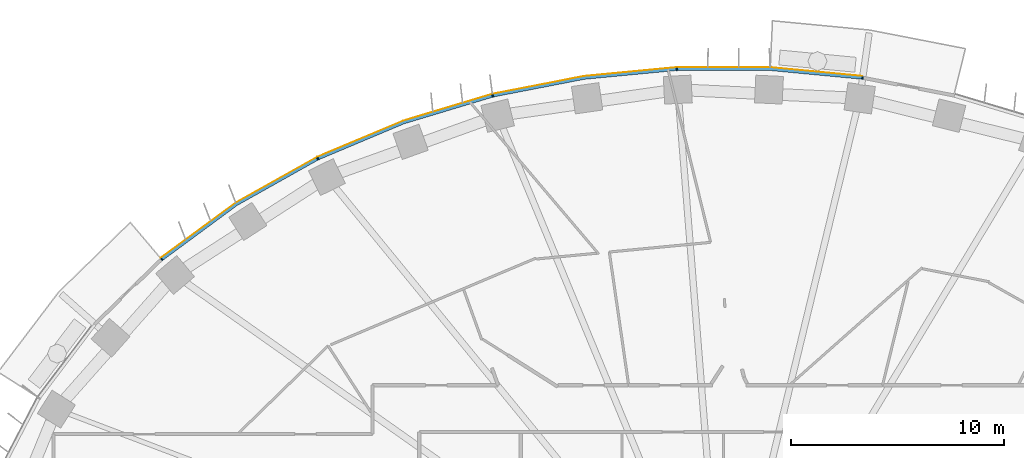
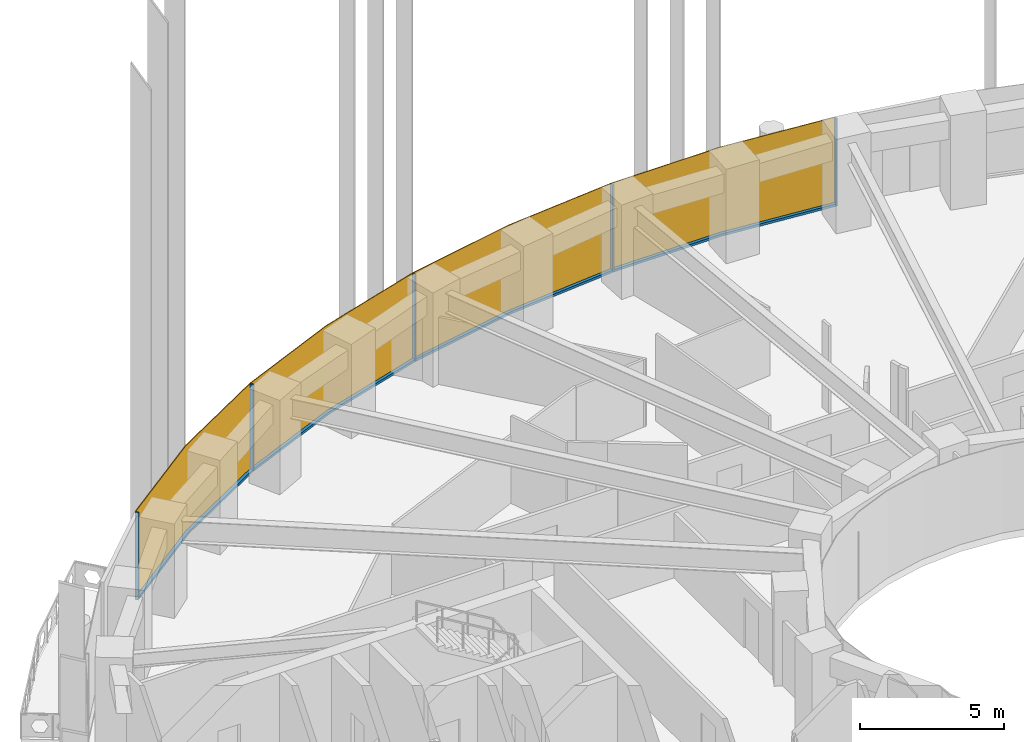
# One storey, part 12 of 20: 9 members, 1 curtain wall.
"""IFC4 building model written with IfcOpenShell, lengths in metres."""

from ifc_helpers import new_model, si_unit, direction, frame, origin, origin_2d, place, context, subcontext, project, spatial, polyline, rectangle, outline, extrude, material, layer, layer_set, material_profile, profile_set, type_object, element, aggregate, save


model = new_model("IFC4")

# Units and contexts
model_context = context("Model", 3, precision=1e-05, world=origin(), true_north=direction((0.0, 1.0)))
body_context = subcontext(model_context, "Body", "Model", "MODEL_VIEW")
ifc_project = project(units=[si_unit("LENGTHUNIT", "METRE"), si_unit("AREAUNIT", "SQUARE_METRE"), si_unit("VOLUMEUNIT", "CUBIC_METRE"), si_unit("PLANEANGLEUNIT", "RADIAN"), si_unit("MASSUNIT", "GRAM", prefix="KILO")], contexts=[model_context])

# Member
ifc_material_1 = material(Name="Aluminium 6063-T6 black anodised", Category="aluminium")
ifc_material_profile = material_profile(ifc_material_1, rectangle(XDim=0.1201171875, YDim=0.06005859375, at=origin_2d()), Name="120x60")
ifc_profile_set = profile_set([ifc_material_profile], Name="Aluminium 6063-T6 black anodised")
member_type_1 = type_object("IfcMemberType", Name="ENV-MULLION-A-120", PredefinedType="MULLION", material=ifc_profile_set)
site_placement = place(None, origin())
building_placement = place(site_placement, origin())
storey_placement = place(building_placement, frame((0.0, 0.0, 88.0)))
member_1_placement = place(storey_placement, frame((6.54638671875, 27.440185546875, 0.0), z_axis=(0.0, 0.0, 1.0), x_axis=(-0.143082012705, -0.989710835366, 0.0)))
member_1 = element("IfcMember", 1, at=member_1_placement, type_object=member_type_1, Name="Mullion A radial 11", PredefinedType="MULLION", context=body_context, shape_type="SweptSolid", body=[
    extrude(rectangle(XDim=0.1201171875, YDim=0.06005859375, at=origin_2d()), origin(), (0.0, 0.0, 1.0), 3.699951171875),
])

member_2_placement = place(storey_placement, frame((-2.188720703125, 27.856201171875, 0.0), z_axis=(0.0, 0.0, 1.0), x_axis=(0.047557873581, -0.998868484166, 0.0)))
member_2 = element("IfcMember", 2, at=member_2_placement, type_object=member_type_1, Name="Mullion A radial 13", PredefinedType="MULLION", context=body_context, shape_type="SweptSolid", body=[
    extrude(rectangle(XDim=0.1201171875, YDim=0.06005859375, at=origin_2d()), origin(), (0.0, 0.0, 1.0), 3.699951171875),
])

member_3_placement = place(storey_placement, frame((-10.84326171875, 26.60498046875, 0.0), z_axis=(0.0, 0.0, 1.0), x_axis=(0.239799081534, -0.970822538106, 0.0)))
member_3 = element("IfcMember", 3, at=member_3_placement, type_object=member_type_1, Name="Mullion A radial 15", PredefinedType="MULLION", context=body_context, shape_type="SweptSolid", body=[
    extrude(rectangle(XDim=0.1201171875, YDim=0.06005859375, at=origin_2d()), origin(), (0.0, 0.0, 1.0), 3.699951171875),
])

member_4_placement = place(storey_placement, frame((-19.06787109375, 23.6474609375, 0.0), z_axis=(0.0, 0.0, 1.0), x_axis=(0.439237769837, -0.898370848563, 0.0)))
member_4 = element("IfcMember", 4, at=member_4_placement, type_object=member_type_1, Name="Mullion A radial 17", PredefinedType="MULLION", context=body_context, shape_type="SweptSolid", body=[
    extrude(rectangle(XDim=0.1201171875, YDim=0.06005859375, at=origin_2d()), origin(), (0.0, 0.0, 1.0), 3.699951171875),
])

member_5_placement = place(storey_placement, frame((-26.403564453125, 18.9130859375, 0.0), z_axis=(0.0, 0.0, 1.0), x_axis=(0.646451313783, -0.762955240435, 0.0)))
member_5 = element("IfcMember", 5, at=member_5_placement, type_object=member_type_1, Name="Mullion A radial 19", PredefinedType="MULLION", context=body_context, shape_type="SweptSolid", body=[
    extrude(rectangle(XDim=0.1201171875, YDim=0.06005859375, at=origin_2d()), origin(), (0.0, 0.0, 1.0), 3.699951171875),
])

ifc_material_2 = material(Name="Aluminium 6063-T6 black anodised", Category="aluminium")
member_type_2 = type_object("IfcMemberType", Name="ENV-TRANSOM-A", PredefinedType="USERDEFINED", material=ifc_material_2)
member_6_placement = place(storey_placement, origin())
member_6 = element("IfcMember", 6, at=member_6_placement, type_object=member_type_2, Name="Transom A radial 11-13", ObjectType="TRANSOM", PredefinedType="USERDEFINED", context=body_context, shape_type="SweptSolid", body=[
    extrude(outline(polyline([(6.527099609375, 27.502197265625), (2.191650390625, 27.916015625), (-2.163818359375, 27.916015625), (-2.157958984375, 27.7958984375), (2.185791015625, 27.7958984375), (6.510009765625, 27.38330078125), (6.527099609375, 27.502197265625)])), origin(), (0.0, 0.0, 1.0), 0.10009765625),
])

member_7_placement = place(storey_placement, origin())
member_7 = element("IfcMember", 7, at=member_7_placement, type_object=member_type_2, Name="Transom A radial 13-15", ObjectType="TRANSOM", PredefinedType="USERDEFINED", context=body_context, shape_type="SweptSolid", body=[
    extrude(outline(polyline([(-2.219482421875, 27.913330078125), (-6.55517578125, 27.49951171875), (-10.830078125, 26.66845703125), (-10.80126953125, 26.552001953125), (-6.537841796875, 27.380615234375), (-2.2138671875, 27.793212890625), (-2.219482421875, 27.913330078125)])), origin(), (0.0, 0.0, 1.0), 0.10009765625),
])

member_8_placement = place(storey_placement, origin())
member_8 = element("IfcMember", 8, at=member_8_placement, type_object=member_type_2, Name="Transom A radial 15-17", ObjectType="TRANSOM", PredefinedType="USERDEFINED", context=body_context, shape_type="SweptSolid", body=[
    extrude(outline(polyline([(-10.884521484375, 26.655029296875), (-15.054443359375, 25.400146484375), (-19.068359375, 23.71240234375), (-19.015380859375, 23.604248046875), (-15.013916015625, 25.287109375), (-10.855712890625, 26.53857421875), (-10.884521484375, 26.655029296875)])), origin(), (0.0, 0.0, 1.0), 0.10009765625),
])

member_9_placement = place(storey_placement, origin())
member_9 = element("IfcMember", 9, at=member_9_placement, type_object=member_type_2, Name="Transom A radial 17-19", ObjectType="TRANSOM", PredefinedType="USERDEFINED", context=body_context, shape_type="SweptSolid", body=[
    extrude(outline(polyline([(-19.11865234375, 23.687744140625), (-22.9150390625, 21.556884765625), (-26.419921875, 18.975341796875), (-26.342041015625, 18.883544921875), (-22.85009765625, 21.455810546875), (-19.06591796875, 23.57958984375), (-19.11865234375, 23.687744140625)])), origin(), (0.0, 0.0, 1.0), 0.10009765625),
])

# Site, building, storey
site = spatial("IfcSite", under=ifc_project, at=site_placement, CompositionType="ELEMENT")
building = spatial("IfcBuilding", under=site, at=building_placement, Name="Noorbagh Ring Tower", CompositionType="ELEMENT")
storey = spatial("IfcBuildingStorey", under=building, at=storey_placement, Name="L19", CompositionType="ELEMENT", Elevation=88.0)

# Curtain wall
ifc_material_3 = material(Name="Glass dark tinted laminated", Category="glass")
ifc_layer = layer(ifc_material_3, 0.031982421875)
ifc_layer_set = layer_set([ifc_layer], Name="Glass dark tinted laminated")
curtain_wall_type = type_object("IfcCurtainWallType", Name="ENV-CW-A", PredefinedType="NOTDEFINED", material=ifc_layer_set)
curtain_wall_placement = place(storey_placement, origin())
curtain_wall = element("IfcCurtainWall", 10, at=curtain_wall_placement, inside=storey, type_object=curtain_wall_type, Name="Curtain wall A R11", PredefinedType="NOTDEFINED", context=body_context, shape_type="SweptSolid", body=[
    extrude(outline(polyline([(6.539794921875, 27.533203125), (2.193115234375, 27.947998046875), (-2.193115234375, 27.947998046875), (-6.559814453125, 27.53125), (-10.865234375, 26.6943359375), (-15.065185546875, 25.430419921875), (-19.108154296875, 23.730224609375), (-22.9326171875, 21.583740234375), (-26.447021484375, 18.9951171875), (-26.42626953125, 18.970703125), (-22.9150390625, 21.556884765625), (-19.093994140625, 23.701416015625), (-15.054443359375, 25.400146484375), (-10.857666015625, 26.6630859375), (-6.55517578125, 27.49951171875), (-2.191650390625, 27.916015625), (2.191650390625, 27.916015625), (6.53515625, 27.50146484375), (6.539794921875, 27.533203125)])), origin(), (0.0, 0.0, 1.0), 3.699951171875),
])

aggregate(curtain_wall, [member_1, member_2, member_3, member_4, member_5, member_6, member_7, member_8, member_9])

save(model, "model.ifc")
